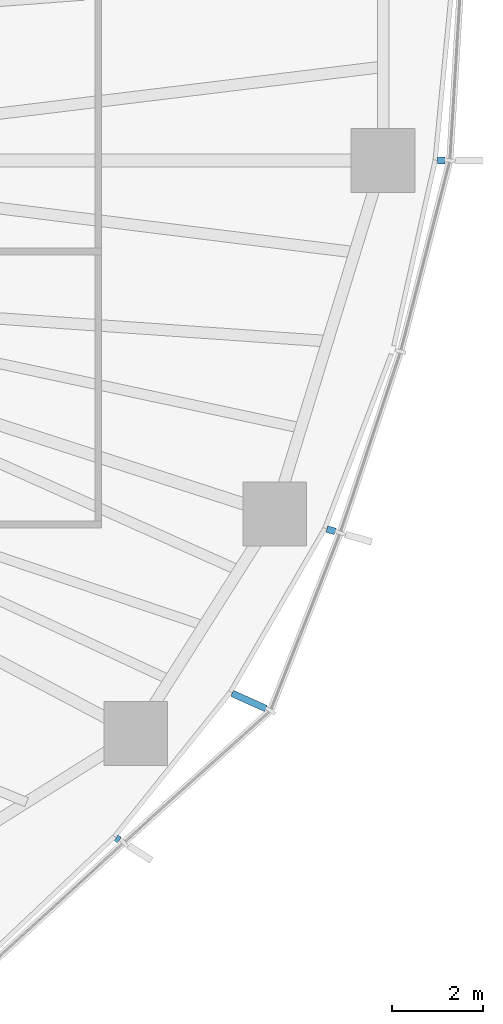
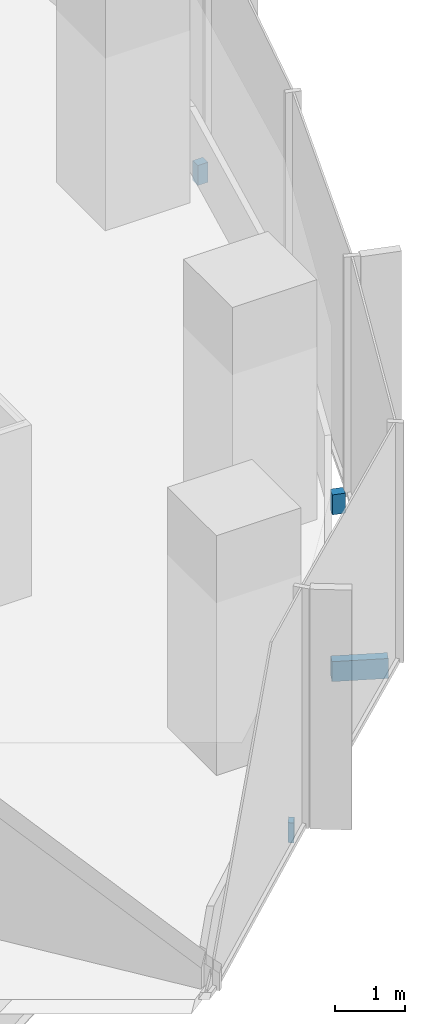
# One storey, part 14 of 18: 4 discrete accessories.
"""IFC4 building model written with IfcOpenShell, lengths in metres."""

from ifc_helpers import new_model, si_unit, direction, frame, origin, origin_2d, place, context, subcontext, project, spatial, rectangle, extrude, material, type_object, element, save


model = new_model("IFC4")

# Units and contexts
model_context = context("Model", 3, precision=1e-05, world=origin(), true_north=direction((0.0, 1.0)))
body_context = subcontext(model_context, "Body", "Model", "MODEL_VIEW")
ifc_project = project(units=[si_unit("LENGTHUNIT", "METRE"), si_unit("AREAUNIT", "SQUARE_METRE"), si_unit("VOLUMEUNIT", "CUBIC_METRE"), si_unit("PLANEANGLEUNIT", "RADIAN"), si_unit("MASSUNIT", "GRAM", prefix="KILO")], contexts=[model_context])

# Site, building, storey
site_placement = place(None, origin())
site = spatial("IfcSite", under=ifc_project, at=site_placement, CompositionType="ELEMENT")
building_placement = place(site_placement, origin())
building = spatial("IfcBuilding", under=site, at=building_placement, Name="Ghaith Harvest Tower", CompositionType="ELEMENT")
storey_placement = place(building_placement, frame((0.0, 0.0, 151.199951171875)))
storey = spatial("IfcBuildingStorey", under=building, at=storey_placement, Name="L32", CompositionType="ELEMENT", Elevation=151.199951171875)

# Discrete accessories
ifc_material_1 = material(Name="Stainless steel grade 1.4401", Category="steel")
discrete_accessory_type_1 = type_object("IfcDiscreteAccessoryType", Name="CURTAIN WALL BRACKET 165", PredefinedType="BRACKET", material=ifc_material_1)
discrete_accessory_1_placement = place(storey_placement, frame((30.5361328125, 0.0, -0.25), z_axis=(0.0, 0.0, 1.0), x_axis=(1.0, 0.0, 0.0)))
element("IfcDiscreteAccessory", 1, at=discrete_accessory_1_placement, inside=storey, type_object=discrete_accessory_type_1, Name="CW-L bracket 1 bay 01 L32", PredefinedType="BRACKET", context=body_context, shape_type="SweptSolid", body=[
    extrude(rectangle(XDim=0.1650390625, YDim=0.14990234375, at=origin_2d()), origin(), (0.0, 0.0, 1.0), 0.35009765625),
])
ifc_material_2 = material(Name="Stainless steel grade 1.4401", Category="steel")
discrete_accessory_type_2 = type_object("IfcDiscreteAccessoryType", Name="CURTAIN WALL BRACKET 195", PredefinedType="BRACKET", material=ifc_material_2)
discrete_accessory_2_placement = place(storey_placement, frame((28.1201171875, -8.127197265625, -0.25), z_axis=(0.0, 0.0, 1.0), x_axis=(0.960680349932, -0.277656739976, 0.0)))
element("IfcDiscreteAccessory", 2, at=discrete_accessory_2_placement, inside=storey, type_object=discrete_accessory_type_2, Name="CW-L bracket 1 bay 20 L32", PredefinedType="BRACKET", context=body_context, shape_type="SweptSolid", body=[
    extrude(rectangle(XDim=0.195068359375, YDim=0.14990234375, at=origin_2d()), origin(), (0.0, 0.0, 1.0), 0.35009765625),
])
ifc_material_3 = material(Name="Stainless steel grade 1.4401", Category="steel")
discrete_accessory_type_3 = type_object("IfcDiscreteAccessoryType", Name="CURTAIN WALL BRACKET 815", PredefinedType="BRACKET", material=ifc_material_3)
discrete_accessory_3_placement = place(storey_placement, frame((26.314697265625, -11.879638671875, -0.25), z_axis=(0.0, 0.0, 1.0), x_axis=(0.911426750831, -0.41146236507, 0.0)))
element("IfcDiscreteAccessory", 3, at=discrete_accessory_3_placement, inside=storey, type_object=discrete_accessory_type_3, Name="CW-L bracket 2 bay 19 L32", PredefinedType="BRACKET", context=body_context, shape_type="SweptSolid", body=[
    extrude(rectangle(XDim=0.81494140625, YDim=0.14990234375, at=origin_2d()), origin(), (0.0, 0.0, 1.0), 0.35009765625),
])
ifc_material_4 = material(Name="Stainless steel grade 1.4401", Category="steel")
discrete_accessory_type_4 = type_object("IfcDiscreteAccessoryType", Name="CURTAIN WALL BRACKET 85", PredefinedType="BRACKET", material=ifc_material_4)
discrete_accessory_4_placement = place(storey_placement, frame((23.431884765625, -14.912353515625, -0.25), z_axis=(0.0, 0.0, 1.0), x_axis=(0.84364397137, -0.536903016913, 0.0)))
element("IfcDiscreteAccessory", 4, at=discrete_accessory_4_placement, inside=storey, type_object=discrete_accessory_type_4, Name="CW-L bracket 1 bay 19 L32", PredefinedType="BRACKET", context=body_context, shape_type="SweptSolid", body=[
    extrude(rectangle(XDim=0.0849609375, YDim=0.14990234375, at=origin_2d()), origin(), (0.0, 0.0, 1.0), 0.35009765625),
])

save(model, "model.ifc")
